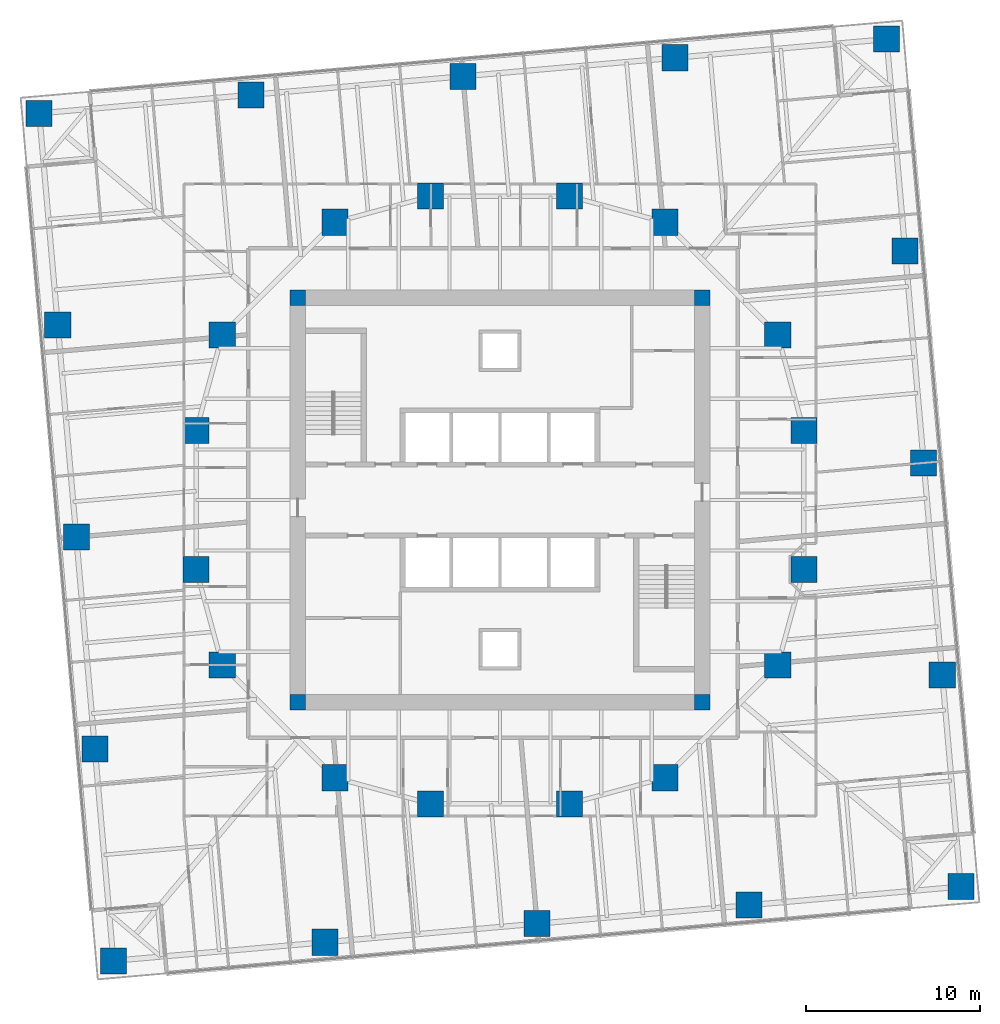
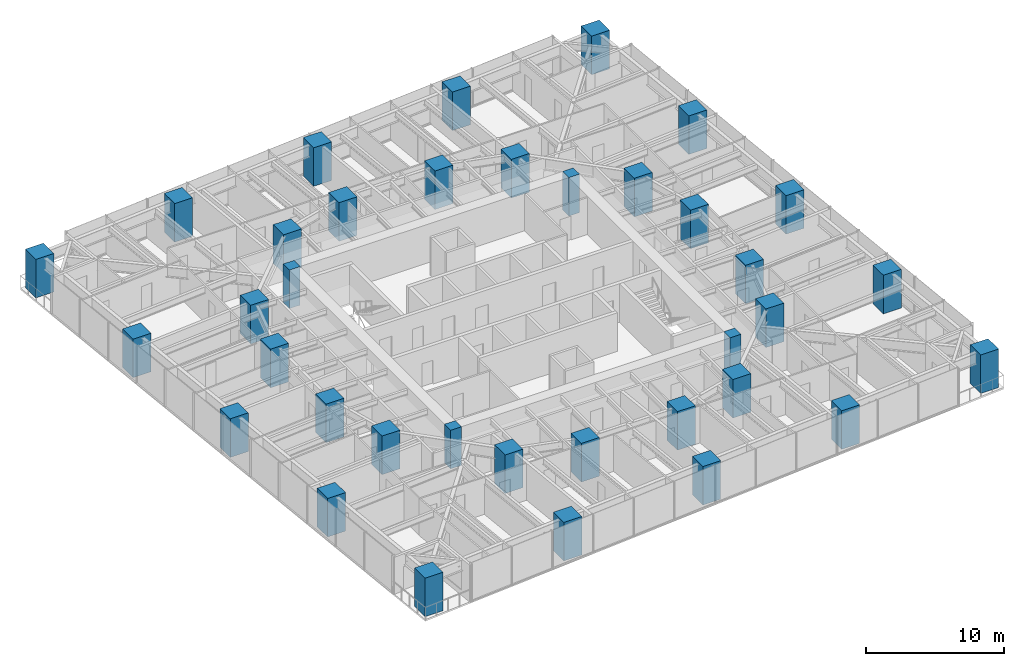
# One storey, part 1 of 14: 36 columns.
"""IFC4 building model written with IfcOpenShell, lengths in metres."""

from ifc_helpers import new_model, si_unit, direction, frame, origin, origin_2d, place, context, subcontext, project, spatial, rectangle, extrude, material, material_profile, profile_set, type_object, element, save


model = new_model("IFC4")

# Units and contexts
model_context = context("Model", 3, precision=1e-05, world=origin(), true_north=direction((0.0, 1.0)))
body_context = subcontext(model_context, "Body", "Model", "MODEL_VIEW")
ifc_project = project(units=[si_unit("LENGTHUNIT", "METRE"), si_unit("AREAUNIT", "SQUARE_METRE"), si_unit("VOLUMEUNIT", "CUBIC_METRE"), si_unit("PLANEANGLEUNIT", "RADIAN"), si_unit("MASSUNIT", "GRAM", prefix="KILO")], contexts=[model_context])

# Site, building, storey
site_placement = place(None, origin())
site = spatial("IfcSite", under=ifc_project, at=site_placement, CompositionType="ELEMENT")
building_placement = place(site_placement, origin())
building = spatial("IfcBuilding", under=site, at=building_placement, Name="Torsade Residences", CompositionType="ELEMENT")
storey_placement = place(building_placement, frame((0.0, 0.0, 67.60009765625)))
storey = spatial("IfcBuildingStorey", under=building, at=storey_placement, Name="L18", CompositionType="ELEMENT", Elevation=67.60009765625)

# Columns
ifc_material_1 = material(Name="Concrete 80 MPa", Category="concrete")
ifc_material_profile_1 = material_profile(ifc_material_1, rectangle(XDim=0.89990234375, YDim=0.89990234375, at=origin_2d()), Name="RC 900x900")
ifc_profile_set_1 = profile_set([ifc_material_profile_1], Name="Concrete 80 MPa")
column_type_1 = type_object("IfcColumnType", Name="CORE CORNER COLUMN RC 900x900", PredefinedType="COLUMN", material=ifc_profile_set_1)
for number, where, z_axis, x_axis, name in (
    (1, (28.35009765625, 18.35009765625, 0.0), (0.0, 0.0, 1.0), (1.0, 0.0, 0.0), "Core corner column CC1 L18"),
    (2, (51.64990234375, 18.35009765625, 0.0), (0.0, 0.0, 1.0), (1.0, 0.0, 0.0), "Core corner column CC2 L18"),
    (3, (51.64990234375, 41.64990234375, 0.0), (0.0, 0.0, 1.0), (1.0, 0.0, 0.0), "Core corner column CC3 L18"),
    (4, (28.35009765625, 41.64990234375, 0.0), (0.0, 0.0, 1.0), (1.0, 0.0, 0.0), "Core corner column CC4 L18"),
):
    element("IfcColumn", number, at=place(storey_placement, frame(where, z_axis=z_axis, x_axis=x_axis)), inside=storey, type_object=column_type_1, Name=name, PredefinedType="COLUMN", context=body_context, shape_type="SweptSolid", body=[
        extrude(rectangle(XDim=0.89990234375, YDim=0.89990234375, at=origin_2d()), origin(), (0.0, 0.0, 1.0), 3.39990234375),
    ])
ifc_material_2 = material(Name="Concrete 80 MPa", Category="concrete")
ifc_material_profile_2 = material_profile(ifc_material_2, rectangle(XDim=1.5, YDim=1.5, at=origin_2d()), Name="RC 1500x1500")
ifc_profile_set_2 = profile_set([ifc_material_profile_2], Name="Concrete 80 MPa")
column_type_2 = type_object("IfcColumnType", Name="INNER RING COLUMN RC 1500x1500", PredefinedType="COLUMN", material=ifc_profile_set_2)
for number, where, z_axis, x_axis, name in (
    (5, (57.5, 26.0, 0.0), (0.0, 0.0, 1.0), (1.0, 0.0, 0.0), "Inner ring column IR01 L18"),
    (6, (57.5, 34.0, 0.0), (0.0, 0.0, 1.0), (1.0, 0.0, 0.0), "Inner ring column IR02 L18"),
    (7, (56.0, 39.5, 0.0), (0.0, 0.0, 1.0), (1.0, 0.0, 0.0), "Inner ring column IR03 L18"),
    (8, (49.5, 46.0, 0.0), (0.0, 0.0, 1.0), (1.0, 0.0, 0.0), "Inner ring column IR04 L18"),
    (9, (44.0, 47.5, 0.0), (0.0, 0.0, 1.0), (1.0, 0.0, 0.0), "Inner ring column IR05 L18"),
    (10, (36.0, 47.5, 0.0), (0.0, 0.0, 1.0), (1.0, 0.0, 0.0), "Inner ring column IR06 L18"),
    (11, (30.5, 46.0, 0.0), (0.0, 0.0, 1.0), (1.0, 0.0, 0.0), "Inner ring column IR07 L18"),
    (12, (24.0, 39.5, 0.0), (0.0, 0.0, 1.0), (1.0, 0.0, 0.0), "Inner ring column IR08 L18"),
    (13, (22.5, 34.0, 0.0), (0.0, 0.0, 1.0), (1.0, 0.0, 0.0), "Inner ring column IR09 L18"),
    (14, (22.5, 26.0, 0.0), (0.0, 0.0, 1.0), (1.0, 0.0, 0.0), "Inner ring column IR10 L18"),
    (15, (24.0, 20.5, 0.0), (0.0, 0.0, 1.0), (1.0, 0.0, 0.0), "Inner ring column IR11 L18"),
    (16, (30.5, 14.0, 0.0), (0.0, 0.0, 1.0), (1.0, 0.0, 0.0), "Inner ring column IR12 L18"),
    (17, (36.0, 12.5, 0.0), (0.0, 0.0, 1.0), (1.0, 0.0, 0.0), "Inner ring column IR13 L18"),
    (18, (44.0, 12.5, 0.0), (0.0, 0.0, 1.0), (1.0, 0.0, 0.0), "Inner ring column IR14 L18"),
    (19, (49.5, 14.0, 0.0), (0.0, 0.0, 1.0), (1.0, 0.0, 0.0), "Inner ring column IR15 L18"),
    (20, (56.0, 20.5, 0.0), (0.0, 0.0, 1.0), (1.0, 0.0, 0.0), "Inner ring column IR16 L18"),
):
    element("IfcColumn", number, at=place(storey_placement, frame(where, z_axis=z_axis, x_axis=x_axis)), inside=storey, type_object=column_type_2, Name=name, PredefinedType="COLUMN", context=body_context, shape_type="SweptSolid", body=[
        extrude(rectangle(XDim=1.5, YDim=1.5, at=origin_2d()), origin(), (0.0, 0.0, 1.0), 3.39990234375),
    ])
ifc_material_3 = material(Name="Concrete 80 MPa", Category="concrete")
ifc_material_profile_3 = material_profile(ifc_material_3, rectangle(XDim=1.5, YDim=1.5, at=origin_2d()), Name="RC 1500x1500")
ifc_profile_set_3 = profile_set([ifc_material_profile_3], Name="Concrete 80 MPa")
column_type_3 = type_object("IfcColumnType", Name="TOWER COLUMN RC 1500x1500", PredefinedType="COLUMN", material=ifc_profile_set_3)
for number, where, z_axis, x_axis, name in (
    (21, (17.728515625, 3.4580078125, 0.0), (0.0, 0.0, 1.0), (1.0, 0.0, 0.0), "Column TC2-01 L18"),
    (22, (29.931884765625, 4.525634765625, 0.0), (0.0, 0.0, 1.0), (1.0, 0.0, 0.0), "Column TC2-02 L18"),
    (23, (42.13525390625, 5.59326171875, 0.0), (0.0, 0.0, 1.0), (1.0, 0.0, 0.0), "Column TC2-03 L18"),
    (24, (54.338623046875, 6.660888671875, 0.0), (0.0, 0.0, 1.0), (1.0, 0.0, 0.0), "Column TC2-04 L18"),
    (25, (66.5419921875, 7.728515625, 0.0), (0.0, 0.0, 1.0), (1.0, 0.0, 0.0), "Column TC2-05 L18"),
    (26, (65.474365234375, 19.931884765625, 0.0), (0.0, 0.0, 1.0), (1.0, 0.0, 0.0), "Column TC2-06 L18"),
    (27, (64.40673828125, 32.13525390625, 0.0), (0.0, 0.0, 1.0), (1.0, 0.0, 0.0), "Column TC2-07 L18"),
    (28, (63.339111328125, 44.338623046875, 0.0), (0.0, 0.0, 1.0), (1.0, 0.0, 0.0), "Column TC2-08 L18"),
    (29, (62.271484375, 56.5419921875, 0.0), (0.0, 0.0, 1.0), (1.0, 0.0, 0.0), "Column TC2-09 L18"),
    (30, (50.068115234375, 55.474365234375, 0.0), (0.0, 0.0, 1.0), (1.0, 0.0, 0.0), "Column TC2-10 L18"),
    (31, (37.86474609375, 54.40673828125, 0.0), (0.0, 0.0, 1.0), (1.0, 0.0, 0.0), "Column TC2-11 L18"),
    (32, (25.661376953125, 53.339111328125, 0.0), (0.0, 0.0, 1.0), (1.0, 0.0, 0.0), "Column TC2-12 L18"),
    (33, (13.4580078125, 52.271484375, 0.0), (0.0, 0.0, 1.0), (1.0, 0.0, 0.0), "Column TC2-13 L18"),
    (34, (14.525634765625, 40.068115234375, 0.0), (0.0, 0.0, 1.0), (1.0, 0.0, 0.0), "Column TC2-14 L18"),
    (35, (15.59326171875, 27.86474609375, 0.0), (0.0, 0.0, 1.0), (1.0, 0.0, 0.0), "Column TC2-15 L18"),
    (36, (16.660888671875, 15.661376953125, 0.0), (0.0, 0.0, 1.0), (1.0, 0.0, 0.0), "Column TC2-16 L18"),
):
    element("IfcColumn", number, at=place(storey_placement, frame(where, z_axis=z_axis, x_axis=x_axis)), inside=storey, type_object=column_type_3, Name=name, PredefinedType="COLUMN", context=body_context, shape_type="SweptSolid", body=[
        extrude(rectangle(XDim=1.5, YDim=1.5, at=origin_2d()), origin(), (0.0, 0.0, 1.0), 3.39990234375),
    ])

save(model, "model.ifc")
